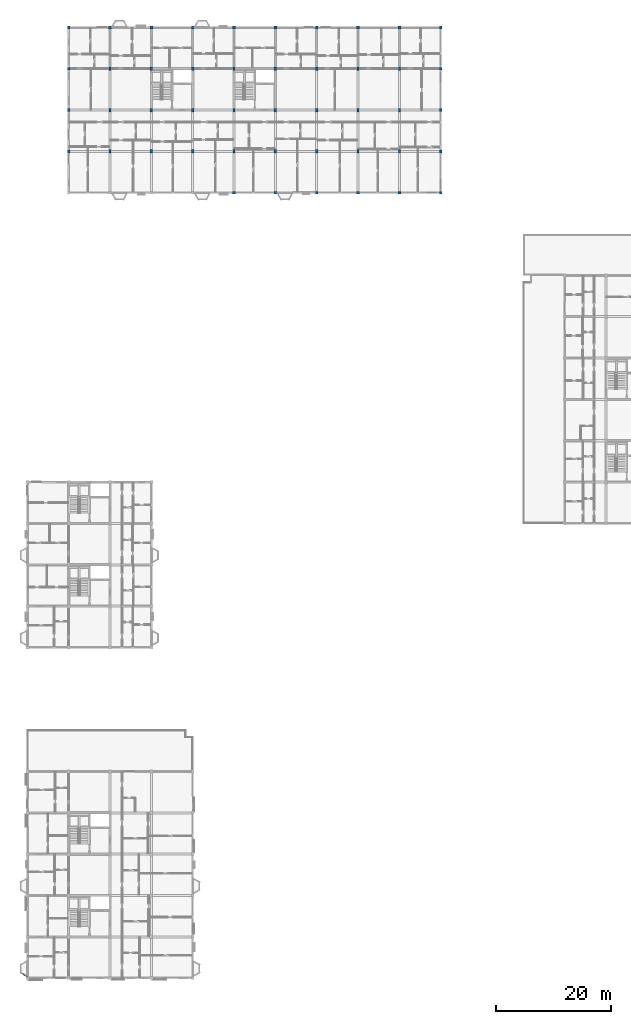
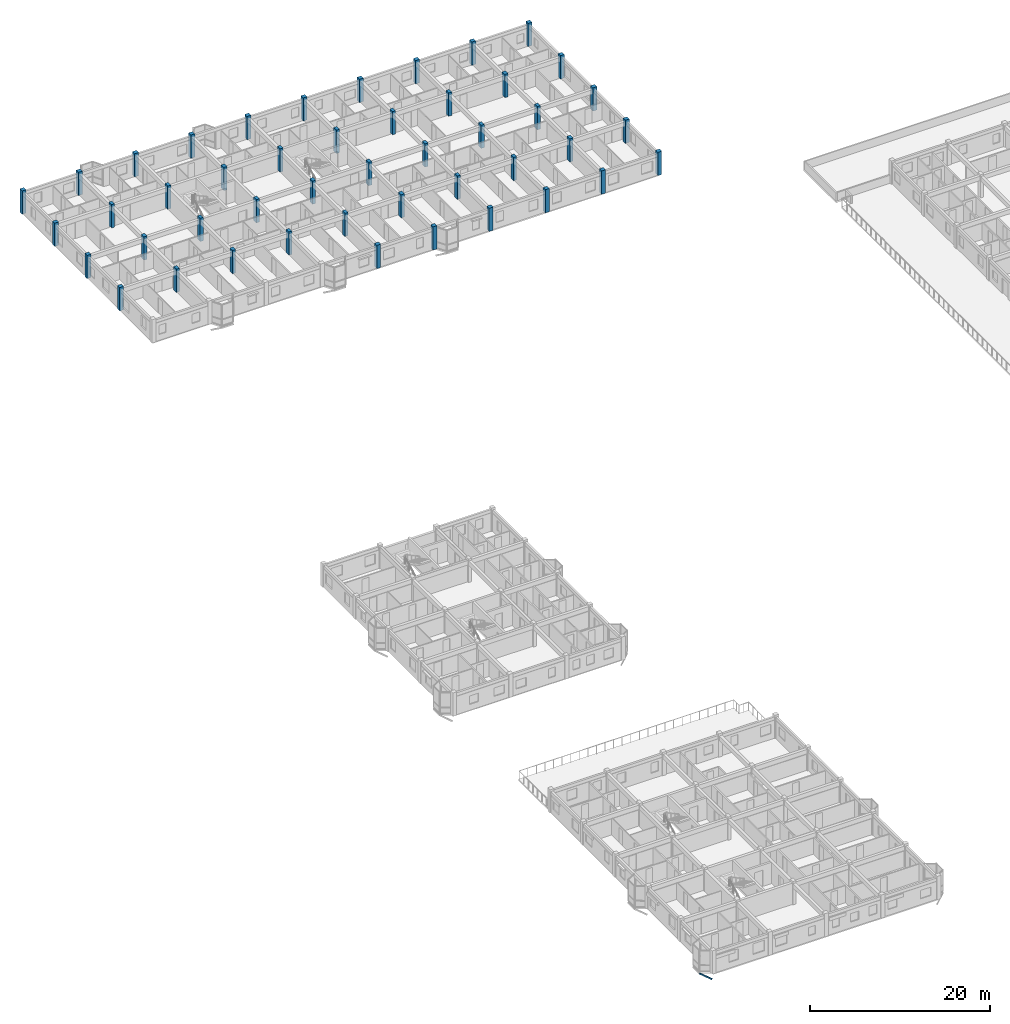
# One storey, part 2 of 70: 46 columns, 1 member.
"""IFC4 building model written with IfcOpenShell, lengths in metres."""

import ifcopenshell
import ifcopenshell.guid

model = None  # the IFC model being written
_history = None  # IfcOwnerHistory: only IFC2X3 demands one
_inside = {}  # id of a spatial element -> (the spatial element, [elements in it])
_under = {}  # id of a project, library or spatial element -> (it, [spatial elements below it])
_declared = {}  # id of a project -> (the project, [libraries it declares])
_typed = {}  # id of a type object -> (the type object, [elements of that type])
_made_of = {}  # id of a material, layer set ... -> (it, [elements and type objects made of it])


def new_model(schema):
    """Start an empty IFC model of exactly this schema.

    Asked for "IFC4X3", IfcOpenShell would pick the latest addendum, in which some entities
    have other attributes; the version numbers below select the first issue.
    IFC2X3 requires an IfcOwnerHistory on every rooted entity: one is made here for all.
    """
    global model, _history
    if schema == "IFC4X3":
        model = ifcopenshell.file(schema_version=(4, 3, 0, 0))
    else:
        model = ifcopenshell.file(schema=schema)
    _inside.clear()
    _under.clear()
    _declared.clear()
    _typed.clear()
    _made_of.clear()
    _history = None
    if model.schema == "IFC2X3":
        org = make("IfcOrganization", Name="unknown")
        user = make(
            "IfcPersonAndOrganization",
            ThePerson=make("IfcPerson", FamilyName="unknown"),
            TheOrganization=org,
        )
        app = make(
            "IfcApplication",
            ApplicationDeveloper=org,
            Version="unknown",
            ApplicationFullName="unknown",
            ApplicationIdentifier="unknown",
        )
        _history = make(
            "IfcOwnerHistory",
            OwningUser=user,
            OwningApplication=app,
            ChangeAction="ADDED",
            CreationDate=0,
        )
    return model


def make(cls, **values):
    """One entity of the class cls with the attributes given. An attribute that is None is left unset."""
    return model.create_entity(
        cls, **{name: value for name, value in values.items() if value is not None}
    )


def rooted(cls, **values):
    """An entity with a GlobalId (a new one), such as an element, a storey or a relation."""
    return make(cls, GlobalId=ifcopenshell.guid.new(), OwnerHistory=_history, **values)


def si_unit(unit_type, name, prefix=None):
    """IfcSIUnit, for example si_unit("LENGTHUNIT", "METRE", prefix="MILLI")."""
    return make("IfcSIUnit", UnitType=unit_type, Prefix=prefix, Name=name)


def assignment(units):
    """IfcUnitAssignment: the units of a project."""
    return None if units is None else make("IfcUnitAssignment", Units=units)


def point(xyz):
    """IfcCartesianPoint."""
    return None if xyz is None else make("IfcCartesianPoint", Coordinates=xyz)


def direction(xyz):
    """IfcDirection."""
    return None if xyz is None else make("IfcDirection", DirectionRatios=xyz)


def frame(location, z_axis=None, x_axis=None):
    """IfcAxis2Placement3D, a coordinate frame: its origin and axes. An axis left out is left unset."""
    return make(
        "IfcAxis2Placement3D",
        Location=point(location),
        Axis=direction(z_axis),
        RefDirection=direction(x_axis),
    )


def frame_2d(location, x_axis=None):
    """IfcAxis2Placement2D, a coordinate frame in the plane: its origin and x axis."""
    return make(
        "IfcAxis2Placement2D", Location=point(location), RefDirection=direction(x_axis)
    )


def origin():
    """The frame at (0, 0, 0) with its axes left unset."""
    return frame((0.0, 0.0, 0.0))


def origin_2d():
    """The frame at (0, 0) in the plane with its x axis left unset."""
    return frame_2d((0.0, 0.0))


def place(relative_to, where):
    """IfcLocalPlacement: puts the frame where relative to a parent placement (None: the world)."""
    return make(
        "IfcLocalPlacement", PlacementRelTo=relative_to, RelativePlacement=where
    )


def context(
    kind, dimensions, precision=None, world=None, true_north=None, identifier=None
):
    """IfcGeometricRepresentationContext, for example the 3D "Model" context."""
    return make(
        "IfcGeometricRepresentationContext",
        ContextIdentifier=identifier,
        ContextType=kind,
        CoordinateSpaceDimension=dimensions,
        Precision=precision,
        WorldCoordinateSystem=world,
        TrueNorth=true_north,
    )


def subcontext(parent, identifier, kind, view, scale=None):
    """IfcGeometricRepresentationSubContext, for example "Body" below "Model"."""
    return make(
        "IfcGeometricRepresentationSubContext",
        ContextIdentifier=identifier,
        ContextType=kind,
        ParentContext=parent,
        TargetScale=scale,
        TargetView=view,
    )


def project(units=None, contexts=None):
    """IfcProject with its units and contexts."""
    return rooted(
        "IfcProject",
        Name="project",
        RepresentationContexts=contexts,
        UnitsInContext=assignment(units),
    )


def spatial(cls, under=None, at=None, **own):
    """A site, building, storey or space (cls), placed at a placement, below another one or the project."""
    s = rooted(cls, ObjectPlacement=at, **own)
    if under is not None:
        _under.setdefault(under.id(), (under, []))[1].append(s)
    return s


def profile(cls, at=None, kind="AREA", **sizes):
    """A parametric profile (cls). Its sizes go by their IFC names, for example OverallWidth=200.0."""
    return make(cls, ProfileType=kind, Position=at, **sizes)


def rectangle(**sizes):
    """IfcRectangleProfileDef."""
    return profile("IfcRectangleProfileDef", **sizes)


def hollow_rectangle(**sizes):
    """IfcRectangleHollowProfileDef."""
    return profile("IfcRectangleHollowProfileDef", **sizes)


def extrude(swept, where, along, depth):
    """IfcExtrudedAreaSolid: the profile swept, set in the frame where, extruded along a direction by depth."""
    return make(
        "IfcExtrudedAreaSolid",
        SweptArea=swept,
        Position=where,
        ExtrudedDirection=direction(along),
        Depth=depth,
    )


def shape(context_of_items, identifier, shape_type, items):
    """IfcShapeRepresentation: the items that make up one representation, for example the "Body"."""
    return make(
        "IfcShapeRepresentation",
        ContextOfItems=context_of_items,
        RepresentationIdentifier=identifier,
        RepresentationType=shape_type,
        Items=items,
    )


def material(Name=None, Category=None):
    """IfcMaterial."""
    return make("IfcMaterial", Name=Name, Category=Category)


def material_profile(
    of_material, cross_section, Name=None, Category=None, Priority=None
):
    """IfcMaterialProfile: a cross section and its material."""
    return make(
        "IfcMaterialProfile",
        Name=Name,
        Material=of_material,
        Profile=cross_section,
        Priority=Priority,
        Category=Category,
    )


def profile_set(profiles, Name=None, composite=None):
    """IfcMaterialProfileSet."""
    return make(
        "IfcMaterialProfileSet",
        Name=Name,
        MaterialProfiles=profiles,
        CompositeProfile=composite,
    )


def made_of(thing, what):
    """Note that an element or type object is made of a material, layer set ...; save() writes the relation."""
    if what is not None:
        _made_of.setdefault(what.id(), (what, []))[1].append(thing)
    return thing


def type_object(cls, material=None, **own):
    """A type object (cls), such as IfcWallType, which elements share."""
    return made_of(rooted(cls, **own), material)


def element(
    cls,
    number,
    at=None,
    inside=None,
    cuts=None,
    type_object=None,
    material=None,
    context=None,
    identifier="Body",
    shape_type=None,
    held_by="IfcProductDefinitionShape",
    body=None,
    shapes=None,
    **own,
):
    """One element of the class cls, such as IfcWall. Its Tag is "e" and its number.

    at: its placement. inside: the storey or other place that contains it. cuts: it is an
    opening in that element (IfcRelVoidsElement). A single representation is given by context,
    identifier, shape_type and body (its items); several are given by shapes. held_by: the class
    of the entity that holds the representations. save() writes the other relations.
    """
    e = rooted(cls, Tag="e%d" % number, ObjectPlacement=at, **own)
    if body is not None:
        shapes = [shape(context, identifier, shape_type, body)]
    if shapes is not None:
        e.Representation = make(held_by, Representations=shapes)
    if inside is not None:
        _inside.setdefault(inside.id(), (inside, []))[1].append(e)
    if cuts is not None:
        rooted(
            "IfcRelVoidsElement", RelatingBuildingElement=cuts, RelatedOpeningElement=e
        )
    if type_object is not None:
        _typed.setdefault(type_object.id(), (type_object, []))[1].append(e)
    return made_of(e, material)


def aggregate(whole, parts):
    """IfcRelAggregates: a whole, such as a stair, and the parts it consists of."""
    return rooted("IfcRelAggregates", RelatingObject=whole, RelatedObjects=parts)


def save(model, path):
    """Write the relations noted so far, then the file.

    IfcRelAggregates (storeys below a building ...), IfcRelContainedInSpatialStructure (elements
    in a storey), IfcRelDefinesByType, IfcRelAssociatesMaterial and IfcRelDeclares: one each for
    every whole, place, type object, material and project.
    """
    for whole, parts in _under.values():
        aggregate(whole, parts)
    for where, things in _inside.values():
        rooted(
            "IfcRelContainedInSpatialStructure",
            RelatedElements=things,
            RelatingStructure=where,
        )
    for kind, things in _typed.values():
        rooted("IfcRelDefinesByType", RelatedObjects=things, RelatingType=kind)
    for what, things in _made_of.values():
        rooted("IfcRelAssociatesMaterial", RelatedObjects=things, RelatingMaterial=what)
    for by, libraries in _declared.values():
        rooted("IfcRelDeclares", RelatingContext=by, RelatedDefinitions=libraries)
    model.write(path)


model = new_model("IFC4")

# Units and contexts
model_context = context("Model", 3, precision=1e-05, world=origin(), true_north=direction((0.0, 1.0)))
body_context = subcontext(model_context, "Body", "Model", "MODEL_VIEW")
ifc_project = project(units=[si_unit("LENGTHUNIT", "METRE"), si_unit("AREAUNIT", "SQUARE_METRE"), si_unit("VOLUMEUNIT", "CUBIC_METRE"), si_unit("PLANEANGLEUNIT", "RADIAN"), si_unit("MASSUNIT", "GRAM", prefix="KILO"), si_unit("THERMODYNAMICTEMPERATUREUNIT", "KELVIN"), si_unit("POWERUNIT", "WATT")], contexts=[model_context])

# Site, building, storey
site_placement = place(None, origin())
site = spatial("IfcSite", under=ifc_project, at=site_placement, CompositionType="ELEMENT")
building_placement = place(site_placement, origin())
building = spatial("IfcBuilding", under=site, at=building_placement, Name="Tavuni Mirador Residences", CompositionType="ELEMENT")
storey_placement = place(building_placement, frame((0.0, 0.0, 23.39990234375)))
storey = spatial("IfcBuildingStorey", under=building, at=storey_placement, Name="L07", CompositionType="ELEMENT", Elevation=23.39990234375)

# Columns
ifc_material_1 = material(Name="Precast concrete C40/50", Category="concrete")
ifc_material_profile_1 = material_profile(ifc_material_1, rectangle(XDim=0.39990234375, YDim=0.60009765625, at=origin_2d()), Name="RC 400x600", Category="concrete")
ifc_profile_set_1 = profile_set([ifc_material_profile_1], Name="Precast concrete C40/50")
column_type_1 = type_object("IfcColumnType", Name="CT-RC400X600", PredefinedType="COLUMN", material=ifc_profile_set_1)
for number, where, z_axis, x_axis, name in (
    (1, (18.0, 151.199951171875, 0.0), (0.0, 0.0, 1.0), (1.0, 0.0, 0.0), "COL-BLK-C-L07-01-01"),
    (2, (18.0, 158.39990234375, 0.0), (0.0, 0.0, 1.0), (1.0, 0.0, 0.0), "COL-BLK-C-L07-01-02"),
    (3, (18.0, 165.60009765625, 0.0), (0.0, 0.0, 1.0), (1.0, 0.0, 0.0), "COL-BLK-C-L07-01-03"),
    (4, (25.199951171875, 151.199951171875, 0.0), (0.0, 0.0, 1.0), (1.0, 0.0, 0.0), "COL-BLK-C-L07-02-01"),
    (5, (25.199951171875, 158.39990234375, 0.0), (0.0, 0.0, 1.0), (1.0, 0.0, 0.0), "COL-BLK-C-L07-02-02"),
    (6, (25.199951171875, 165.60009765625, 0.0), (0.0, 0.0, 1.0), (1.0, 0.0, 0.0), "COL-BLK-C-L07-02-03"),
    (7, (32.39990234375, 151.199951171875, 0.0), (0.0, 0.0, 1.0), (1.0, 0.0, 0.0), "COL-BLK-C-L07-03-01"),
    (8, (32.39990234375, 158.39990234375, 0.0), (0.0, 0.0, 1.0), (1.0, 0.0, 0.0), "COL-BLK-C-L07-03-02"),
    (9, (32.39990234375, 165.60009765625, 0.0), (0.0, 0.0, 1.0), (1.0, 0.0, 0.0), "COL-BLK-C-L07-03-03"),
    (10, (39.60009765625, 151.199951171875, 0.0), (0.0, 0.0, 1.0), (1.0, 0.0, 0.0), "COL-BLK-C-L07-04-01"),
    (11, (39.60009765625, 158.39990234375, 0.0), (0.0, 0.0, 1.0), (1.0, 0.0, 0.0), "COL-BLK-C-L07-04-02"),
    (12, (39.60009765625, 165.60009765625, 0.0), (0.0, 0.0, 1.0), (1.0, 0.0, 0.0), "COL-BLK-C-L07-04-03"),
    (13, (46.800048828125, 151.199951171875, 0.0), (0.0, 0.0, 1.0), (1.0, 0.0, 0.0), "COL-BLK-C-L07-05-01"),
    (14, (46.800048828125, 158.39990234375, 0.0), (0.0, 0.0, 1.0), (1.0, 0.0, 0.0), "COL-BLK-C-L07-05-02"),
    (15, (46.800048828125, 165.60009765625, 0.0), (0.0, 0.0, 1.0), (1.0, 0.0, 0.0), "COL-BLK-C-L07-05-03"),
    (16, (54.0, 151.199951171875, 0.0), (0.0, 0.0, 1.0), (1.0, 0.0, 0.0), "COL-BLK-C-L07-06-01"),
    (17, (54.0, 158.39990234375, 0.0), (0.0, 0.0, 1.0), (1.0, 0.0, 0.0), "COL-BLK-C-L07-06-02"),
    (18, (54.0, 165.60009765625, 0.0), (0.0, 0.0, 1.0), (1.0, 0.0, 0.0), "COL-BLK-C-L07-06-03"),
    (19, (61.199951171875, 151.199951171875, 0.0), (0.0, 0.0, 1.0), (1.0, 0.0, 0.0), "COL-BLK-C-L07-07-01"),
    (20, (61.199951171875, 158.39990234375, 0.0), (0.0, 0.0, 1.0), (1.0, 0.0, 0.0), "COL-BLK-C-L07-07-02"),
    (21, (61.199951171875, 165.60009765625, 0.0), (0.0, 0.0, 1.0), (1.0, 0.0, 0.0), "COL-BLK-C-L07-07-03"),
    (22, (68.39990234375, 151.199951171875, 0.0), (0.0, 0.0, 1.0), (1.0, 0.0, 0.0), "COL-BLK-C-L07-08-01"),
    (23, (68.39990234375, 158.39990234375, 0.0), (0.0, 0.0, 1.0), (1.0, 0.0, 0.0), "COL-BLK-C-L07-08-02"),
    (24, (68.39990234375, 165.60009765625, 0.0), (0.0, 0.0, 1.0), (1.0, 0.0, 0.0), "COL-BLK-C-L07-08-03"),
):
    element("IfcColumn", number, at=place(storey_placement, frame(where, z_axis=z_axis, x_axis=x_axis)), inside=storey, type_object=column_type_1, Name=name, PredefinedType="COLUMN", context=body_context, shape_type="SweptSolid", body=[
        extrude(rectangle(XDim=0.39990234375, YDim=0.60009765625, at=origin_2d()), origin(), (0.0, 0.0, 1.0), 3.150146484375),
    ])
ifc_material_profile_2 = material_profile(ifc_material_1, rectangle(XDim=0.5, YDim=0.5, at=origin_2d()), Name="RC 500x500", Category="concrete")
ifc_profile_set_2 = profile_set([ifc_material_profile_2], Name="Precast concrete C40/50")
column_type_2 = type_object("IfcColumnType", Name="CT-RC500", PredefinedType="COLUMN", material=ifc_profile_set_2)
for number, where, z_axis, x_axis, name in (
    (25, (10.800048828125, 151.199951171875, 0.0), (0.0, 0.0, 1.0), (1.0, 0.0, 0.0), "COL-BLK-C-L07-00-01"),
    (26, (10.800048828125, 158.39990234375, 0.0), (0.0, 0.0, 1.0), (1.0, 0.0, 0.0), "COL-BLK-C-L07-00-02"),
    (27, (10.800048828125, 165.60009765625, 0.0), (0.0, 0.0, 1.0), (1.0, 0.0, 0.0), "COL-BLK-C-L07-00-03"),
    (28, (10.800048828125, 172.800048828125, 0.0), (0.0, 0.0, 1.0), (1.0, 0.0, 0.0), "COL-BLK-C-L07-00-04"),
    (29, (18.0, 172.800048828125, 0.0), (0.0, 0.0, 1.0), (1.0, 0.0, 0.0), "COL-BLK-C-L07-01-04"),
    (30, (25.199951171875, 172.800048828125, 0.0), (0.0, 0.0, 1.0), (1.0, 0.0, 0.0), "COL-BLK-C-L07-02-04"),
    (31, (32.39990234375, 172.800048828125, 0.0), (0.0, 0.0, 1.0), (1.0, 0.0, 0.0), "COL-BLK-C-L07-03-04"),
    (32, (39.60009765625, 144.0, 0.0), (0.0, 0.0, 1.0), (1.0, 0.0, 0.0), "COL-BLK-C-L07-04-00"),
    (33, (39.60009765625, 172.800048828125, 0.0), (0.0, 0.0, 1.0), (1.0, 0.0, 0.0), "COL-BLK-C-L07-04-04"),
    (34, (46.800048828125, 144.0, 0.0), (0.0, 0.0, 1.0), (1.0, 0.0, 0.0), "COL-BLK-C-L07-05-00"),
    (35, (46.800048828125, 172.800048828125, 0.0), (0.0, 0.0, 1.0), (1.0, 0.0, 0.0), "COL-BLK-C-L07-05-04"),
    (36, (54.0, 144.0, 0.0), (0.0, 0.0, 1.0), (1.0, 0.0, 0.0), "COL-BLK-C-L07-06-00"),
    (37, (54.0, 172.800048828125, 0.0), (0.0, 0.0, 1.0), (1.0, 0.0, 0.0), "COL-BLK-C-L07-06-04"),
    (38, (61.199951171875, 144.0, 0.0), (0.0, 0.0, 1.0), (1.0, 0.0, 0.0), "COL-BLK-C-L07-07-00"),
    (39, (61.199951171875, 172.800048828125, 0.0), (0.0, 0.0, 1.0), (1.0, 0.0, 0.0), "COL-BLK-C-L07-07-04"),
    (40, (68.39990234375, 144.0, 0.0), (0.0, 0.0, 1.0), (1.0, 0.0, 0.0), "COL-BLK-C-L07-08-00"),
    (41, (68.39990234375, 172.800048828125, 0.0), (0.0, 0.0, 1.0), (1.0, 0.0, 0.0), "COL-BLK-C-L07-08-04"),
    (42, (75.60009765625, 144.0, 0.0), (0.0, 0.0, 1.0), (1.0, 0.0, 0.0), "COL-BLK-C-L07-09-00"),
    (43, (75.60009765625, 151.199951171875, 0.0), (0.0, 0.0, 1.0), (1.0, 0.0, 0.0), "COL-BLK-C-L07-09-01"),
    (44, (75.60009765625, 158.39990234375, 0.0), (0.0, 0.0, 1.0), (1.0, 0.0, 0.0), "COL-BLK-C-L07-09-02"),
    (45, (75.60009765625, 165.60009765625, 0.0), (0.0, 0.0, 1.0), (1.0, 0.0, 0.0), "COL-BLK-C-L07-09-03"),
    (46, (75.60009765625, 172.800048828125, 0.0), (0.0, 0.0, 1.0), (1.0, 0.0, 0.0), "COL-BLK-C-L07-09-04"),
):
    element("IfcColumn", number, at=place(storey_placement, frame(where, z_axis=z_axis, x_axis=x_axis)), inside=storey, type_object=column_type_2, Name=name, PredefinedType="COLUMN", context=body_context, shape_type="SweptSolid", body=[
        extrude(rectangle(XDim=0.5, YDim=0.5, at=origin_2d()), origin(), (0.0, 0.0, 1.0), 3.150146484375),
    ])

# Member
ifc_material_2 = material(Name="Structural steel S355", Category="steel")
ifc_material_profile_3 = material_profile(ifc_material_2, hollow_rectangle(XDim=0.10009765625, YDim=0.179931640625, WallThickness=0.008056640625, at=origin_2d()), Name="RHS 180x100x8.0", Category="steel")
ifc_profile_set_3 = profile_set([ifc_material_profile_3], Name="Structural steel S355")
member_type = type_object("IfcMemberType", Name="MT-BR-RHS180", PredefinedType="BRACE", material=ifc_profile_set_3)
member_placement = place(storey_placement, frame((3.60009765625, 7.449951171875, -1.0498046875), z_axis=(-0.753448798133, 0.445693471312, 0.48339656414), x_axis=(-0.50913035723, -0.860689420957, 0.0)))
element("IfcMember", 47, at=member_placement, inside=storey, type_object=member_type, Name="MBRK-MIR-A-W1-L07-1", PredefinedType="BRACE", context=body_context, shape_type="SweptSolid", body=[
    extrude(hollow_rectangle(XDim=0.10009765625, YDim=0.179931640625, WallThickness=0.008056640625, at=origin_2d()), origin(), (0.0, 0.0, 1.0), 1.593017578125),
])

save(model, "model.ifc")
